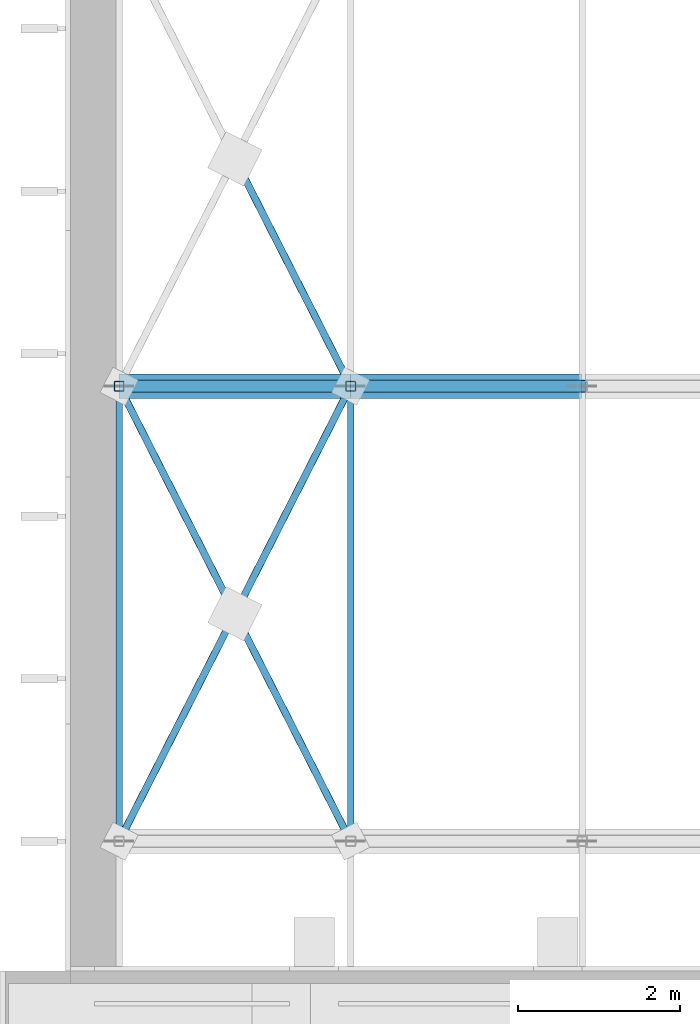
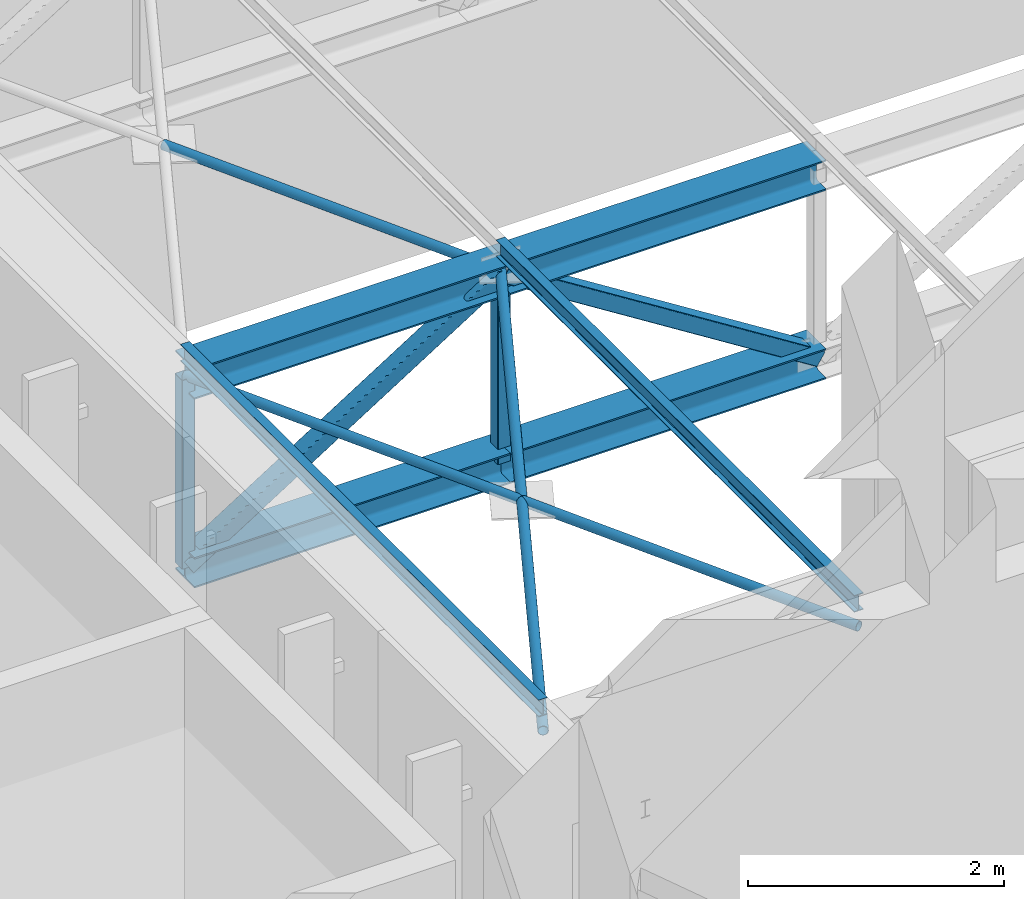
# One storey, part 31 of 55: 14 members.
"""IFC4 building model written with IfcOpenShell, lengths in metres."""

import ifcopenshell
import ifcopenshell.guid

model = None  # the IFC model being written
_history = None  # IfcOwnerHistory: only IFC2X3 demands one
_inside = {}  # id of a spatial element -> (the spatial element, [elements in it])
_under = {}  # id of a project, library or spatial element -> (it, [spatial elements below it])
_declared = {}  # id of a project -> (the project, [libraries it declares])
_typed = {}  # id of a type object -> (the type object, [elements of that type])
_made_of = {}  # id of a material, layer set ... -> (it, [elements and type objects made of it])


def new_model(schema):
    """Start an empty IFC model of exactly this schema.

    Asked for "IFC4X3", IfcOpenShell would pick the latest addendum, in which some entities
    have other attributes; the version numbers below select the first issue.
    IFC2X3 requires an IfcOwnerHistory on every rooted entity: one is made here for all.
    """
    global model, _history
    if schema == "IFC4X3":
        model = ifcopenshell.file(schema_version=(4, 3, 0, 0))
    else:
        model = ifcopenshell.file(schema=schema)
    _inside.clear()
    _under.clear()
    _declared.clear()
    _typed.clear()
    _made_of.clear()
    _history = None
    if model.schema == "IFC2X3":
        org = make("IfcOrganization", Name="unknown")
        user = make(
            "IfcPersonAndOrganization",
            ThePerson=make("IfcPerson", FamilyName="unknown"),
            TheOrganization=org,
        )
        app = make(
            "IfcApplication",
            ApplicationDeveloper=org,
            Version="unknown",
            ApplicationFullName="unknown",
            ApplicationIdentifier="unknown",
        )
        _history = make(
            "IfcOwnerHistory",
            OwningUser=user,
            OwningApplication=app,
            ChangeAction="ADDED",
            CreationDate=0,
        )
    return model


def make(cls, **values):
    """One entity of the class cls with the attributes given. An attribute that is None is left unset."""
    return model.create_entity(
        cls, **{name: value for name, value in values.items() if value is not None}
    )


def rooted(cls, **values):
    """An entity with a GlobalId (a new one), such as an element, a storey or a relation."""
    return make(cls, GlobalId=ifcopenshell.guid.new(), OwnerHistory=_history, **values)


def si_unit(unit_type, name, prefix=None):
    """IfcSIUnit, for example si_unit("LENGTHUNIT", "METRE", prefix="MILLI")."""
    return make("IfcSIUnit", UnitType=unit_type, Prefix=prefix, Name=name)


def assignment(units):
    """IfcUnitAssignment: the units of a project."""
    return None if units is None else make("IfcUnitAssignment", Units=units)


def point(xyz):
    """IfcCartesianPoint."""
    return None if xyz is None else make("IfcCartesianPoint", Coordinates=xyz)


def direction(xyz):
    """IfcDirection."""
    return None if xyz is None else make("IfcDirection", DirectionRatios=xyz)


def frame(location, z_axis=None, x_axis=None):
    """IfcAxis2Placement3D, a coordinate frame: its origin and axes. An axis left out is left unset."""
    return make(
        "IfcAxis2Placement3D",
        Location=point(location),
        Axis=direction(z_axis),
        RefDirection=direction(x_axis),
    )


def frame_2d(location, x_axis=None):
    """IfcAxis2Placement2D, a coordinate frame in the plane: its origin and x axis."""
    return make(
        "IfcAxis2Placement2D", Location=point(location), RefDirection=direction(x_axis)
    )


def origin():
    """The frame at (0, 0, 0) with its axes left unset."""
    return frame((0.0, 0.0, 0.0))


def origin_2d():
    """The frame at (0, 0) in the plane with its x axis left unset."""
    return frame_2d((0.0, 0.0))


def place(relative_to, where):
    """IfcLocalPlacement: puts the frame where relative to a parent placement (None: the world)."""
    return make(
        "IfcLocalPlacement", PlacementRelTo=relative_to, RelativePlacement=where
    )


def context(
    kind, dimensions, precision=None, world=None, true_north=None, identifier=None
):
    """IfcGeometricRepresentationContext, for example the 3D "Model" context."""
    return make(
        "IfcGeometricRepresentationContext",
        ContextIdentifier=identifier,
        ContextType=kind,
        CoordinateSpaceDimension=dimensions,
        Precision=precision,
        WorldCoordinateSystem=world,
        TrueNorth=true_north,
    )


def subcontext(parent, identifier, kind, view, scale=None):
    """IfcGeometricRepresentationSubContext, for example "Body" below "Model"."""
    return make(
        "IfcGeometricRepresentationSubContext",
        ContextIdentifier=identifier,
        ContextType=kind,
        ParentContext=parent,
        TargetScale=scale,
        TargetView=view,
    )


def project(units=None, contexts=None):
    """IfcProject with its units and contexts."""
    return rooted(
        "IfcProject",
        Name="project",
        RepresentationContexts=contexts,
        UnitsInContext=assignment(units),
    )


def spatial(cls, under=None, at=None, **own):
    """A site, building, storey or space (cls), placed at a placement, below another one or the project."""
    s = rooted(cls, ObjectPlacement=at, **own)
    if under is not None:
        _under.setdefault(under.id(), (under, []))[1].append(s)
    return s


def profile(cls, at=None, kind="AREA", **sizes):
    """A parametric profile (cls). Its sizes go by their IFC names, for example OverallWidth=200.0."""
    return make(cls, ProfileType=kind, Position=at, **sizes)


def hollow_rectangle(**sizes):
    """IfcRectangleHollowProfileDef."""
    return profile("IfcRectangleHollowProfileDef", **sizes)


def hollow_circle(**sizes):
    """IfcCircleHollowProfileDef."""
    return profile("IfcCircleHollowProfileDef", **sizes)


def i_section(**sizes):
    """IfcIShapeProfileDef."""
    return profile("IfcIShapeProfileDef", **sizes)


def extrude(swept, where, along, depth):
    """IfcExtrudedAreaSolid: the profile swept, set in the frame where, extruded along a direction by depth."""
    return make(
        "IfcExtrudedAreaSolid",
        SweptArea=swept,
        Position=where,
        ExtrudedDirection=direction(along),
        Depth=depth,
    )


def shape(context_of_items, identifier, shape_type, items):
    """IfcShapeRepresentation: the items that make up one representation, for example the "Body"."""
    return make(
        "IfcShapeRepresentation",
        ContextOfItems=context_of_items,
        RepresentationIdentifier=identifier,
        RepresentationType=shape_type,
        Items=items,
    )


def material(Name=None, Category=None):
    """IfcMaterial."""
    return make("IfcMaterial", Name=Name, Category=Category)


def material_profile(
    of_material, cross_section, Name=None, Category=None, Priority=None
):
    """IfcMaterialProfile: a cross section and its material."""
    return make(
        "IfcMaterialProfile",
        Name=Name,
        Material=of_material,
        Profile=cross_section,
        Priority=Priority,
        Category=Category,
    )


def profile_set(profiles, Name=None, composite=None):
    """IfcMaterialProfileSet."""
    return make(
        "IfcMaterialProfileSet",
        Name=Name,
        MaterialProfiles=profiles,
        CompositeProfile=composite,
    )


def made_of(thing, what):
    """Note that an element or type object is made of a material, layer set ...; save() writes the relation."""
    if what is not None:
        _made_of.setdefault(what.id(), (what, []))[1].append(thing)
    return thing


def type_object(cls, material=None, **own):
    """A type object (cls), such as IfcWallType, which elements share."""
    return made_of(rooted(cls, **own), material)


def element(
    cls,
    number,
    at=None,
    inside=None,
    cuts=None,
    type_object=None,
    material=None,
    context=None,
    identifier="Body",
    shape_type=None,
    held_by="IfcProductDefinitionShape",
    body=None,
    shapes=None,
    **own,
):
    """One element of the class cls, such as IfcWall. Its Tag is "e" and its number.

    at: its placement. inside: the storey or other place that contains it. cuts: it is an
    opening in that element (IfcRelVoidsElement). A single representation is given by context,
    identifier, shape_type and body (its items); several are given by shapes. held_by: the class
    of the entity that holds the representations. save() writes the other relations.
    """
    e = rooted(cls, Tag="e%d" % number, ObjectPlacement=at, **own)
    if body is not None:
        shapes = [shape(context, identifier, shape_type, body)]
    if shapes is not None:
        e.Representation = make(held_by, Representations=shapes)
    if inside is not None:
        _inside.setdefault(inside.id(), (inside, []))[1].append(e)
    if cuts is not None:
        rooted(
            "IfcRelVoidsElement", RelatingBuildingElement=cuts, RelatedOpeningElement=e
        )
    if type_object is not None:
        _typed.setdefault(type_object.id(), (type_object, []))[1].append(e)
    return made_of(e, material)


def aggregate(whole, parts):
    """IfcRelAggregates: a whole, such as a stair, and the parts it consists of."""
    return rooted("IfcRelAggregates", RelatingObject=whole, RelatedObjects=parts)


def save(model, path):
    """Write the relations noted so far, then the file.

    IfcRelAggregates (storeys below a building ...), IfcRelContainedInSpatialStructure (elements
    in a storey), IfcRelDefinesByType, IfcRelAssociatesMaterial and IfcRelDeclares: one each for
    every whole, place, type object, material and project.
    """
    for whole, parts in _under.values():
        aggregate(whole, parts)
    for where, things in _inside.values():
        rooted(
            "IfcRelContainedInSpatialStructure",
            RelatedElements=things,
            RelatingStructure=where,
        )
    for kind, things in _typed.values():
        rooted("IfcRelDefinesByType", RelatedObjects=things, RelatingType=kind)
    for what, things in _made_of.values():
        rooted("IfcRelAssociatesMaterial", RelatedObjects=things, RelatingMaterial=what)
    for by, libraries in _declared.values():
        rooted("IfcRelDeclares", RelatingContext=by, RelatedDefinitions=libraries)
    model.write(path)


model = new_model("IFC4")

# Units and contexts
model_context = context("Model", 3, precision=1e-05, world=origin(), true_north=direction((0.0, 1.0)))
body_context = subcontext(model_context, "Body", "Model", "MODEL_VIEW")
ifc_project = project(units=[si_unit("LENGTHUNIT", "METRE"), si_unit("AREAUNIT", "SQUARE_METRE"), si_unit("VOLUMEUNIT", "CUBIC_METRE"), si_unit("PLANEANGLEUNIT", "RADIAN"), si_unit("MASSUNIT", "GRAM", prefix="KILO")], contexts=[model_context])

# Site, building, storey
site_placement = place(None, origin())
site = spatial("IfcSite", under=ifc_project, at=site_placement, CompositionType="ELEMENT")
building_placement = place(site_placement, origin())
building = spatial("IfcBuilding", under=site, at=building_placement, Name="Lunette Opera House", CompositionType="ELEMENT")
storey_placement = place(building_placement, frame((0.0, 0.0, 34.0)))
storey = spatial("IfcBuildingStorey", under=building, at=storey_placement, Name="L06", CompositionType="ELEMENT", Elevation=34.0)

# Members
ifc_material_1 = material(Name="Steel S355", Category="steel")
ifc_material_profile_1 = material_profile(ifc_material_1, hollow_circle(Radius=0.04443359375, WallThickness=0.00390625, at=origin_2d()), Name="CHS 88.9X4")
ifc_profile_set_1 = profile_set([ifc_material_profile_1], Name="Steel S355")
member_type_1 = type_object("IfcMemberType", Name="BRACING CHS 88.9X4", PredefinedType="BRACE", material=ifc_profile_set_1)
member_1_placement = place(storey_placement, frame((84.60009765625, 122.39990234375, 5.574951171875), z_axis=(0.453543338002, 0.891234223173, 0.0), x_axis=(-0.891234223173, 0.453543338002, 0.0)))
element("IfcMember", 1, at=member_1_placement, inside=storey, type_object=member_type_1, Name="mem-ST-L06-SR-TR-BRQ1P1A", PredefinedType="BRACE", context=body_context, shape_type="SweptSolid", body=[
    extrude(hollow_circle(Radius=0.04443359375, WallThickness=0.00390625, at=origin_2d()), origin(), (0.0, 0.0, 1.0), 6.283447265625),
])
member_2_placement = place(storey_placement, frame((87.449951171875, 122.39990234375, 5.574951171875), z_axis=(-0.453574198899, 0.891218517589, 0.0), x_axis=(-0.891218517589, -0.453574198899, 0.0)))
element("IfcMember", 2, at=member_2_placement, inside=storey, type_object=member_type_1, Name="mem-ST-L06-SR-TR-BRQ1P1B segment 1", PredefinedType="BRACE", context=body_context, shape_type="SweptSolid", body=[
    extrude(hollow_circle(Radius=0.04443359375, WallThickness=0.00390625, at=origin_2d()), origin(), (0.0, 0.0, 1.0), 3.141845703125),
])
member_3_placement = place(storey_placement, frame((86.02490234375, 125.199951171875, 5.574951171875), z_axis=(-0.453512475474, 0.891249928241, 0.0), x_axis=(-0.891249928241, -0.453512475474, 0.0)))
element("IfcMember", 3, at=member_3_placement, inside=storey, type_object=member_type_1, Name="mem-ST-L06-SR-TR-BRQ1P1B segment 2", PredefinedType="BRACE", context=body_context, shape_type="SweptSolid", body=[
    extrude(hollow_circle(Radius=0.04443359375, WallThickness=0.00390625, at=origin_2d()), origin(), (0.0, 0.0, 1.0), 3.1416015625),
])
member_4_placement = place(storey_placement, frame((87.449951171875, 128.0, 5.574951171875), z_axis=(-0.453574198899, 0.891218517589, 0.0), x_axis=(-0.891218517589, -0.453574198899, 0.0)))
element("IfcMember", 4, at=member_4_placement, inside=storey, type_object=member_type_1, Name="mem-ST-L06-SR-TR-BRQ2P1B segment 1", PredefinedType="BRACE", context=body_context, shape_type="SweptSolid", body=[
    extrude(hollow_circle(Radius=0.04443359375, WallThickness=0.00390625, at=origin_2d()), origin(), (0.0, 0.0, 1.0), 3.141845703125),
])
ifc_material_2 = material(Name="Steel S355", Category="steel")
ifc_material_profile_2 = material_profile(ifc_material_2, i_section(OverallWidth=0.300048828125, OverallDepth=0.2900390625, WebThickness=0.008544921875, FlangeThickness=0.013916015625, FilletRadius=0.027099609375, at=origin_2d()), Name="HEA 300")
ifc_profile_set_2 = profile_set([ifc_material_profile_2], Name="Steel S355")
member_type_2 = type_object("IfcMemberType", Name="CHORD HEA 300", PredefinedType="CHORD", material=ifc_profile_set_2)
for number, where, z_axis, x_axis, name in (
    (5, (84.60009765625, 128.0, 5.574951171875), (1.0, 0.0, 0.0), (0.0, 1.0, 0.0), "mem-ST-L06-SR-TR02-TC1"),
    (6, (84.60009765625, 128.0, 3.77490234375), (1.0, 0.0, 0.0), (0.0, 1.0, 0.0), "mem-ST-L06-SR-TR02-BC1"),
):
    element("IfcMember", number, at=place(storey_placement, frame(where, z_axis=z_axis, x_axis=x_axis)), inside=storey, type_object=member_type_2, Name=name, PredefinedType="CHORD", context=body_context, shape_type="SweptSolid", body=[
        extrude(i_section(OverallWidth=0.300048828125, OverallDepth=0.2900390625, WebThickness=0.008544921875, FlangeThickness=0.013916015625, FilletRadius=0.027099609375, at=origin_2d()), origin(), (0.0, 0.0, 1.0), 2.849853515625),
    ])
for number, where, z_axis, x_axis, name in (
    (7, (87.449951171875, 128.0, 5.574951171875), (1.0, 0.0, 0.0), (0.0, 1.0, 0.0), "mem-ST-L06-SR-TR02-TC2"),
    (8, (87.449951171875, 128.0, 3.77490234375), (1.0, 0.0, 0.0), (0.0, 1.0, 0.0), "mem-ST-L06-SR-TR02-BC2"),
):
    element("IfcMember", number, at=place(storey_placement, frame(where, z_axis=z_axis, x_axis=x_axis)), inside=storey, type_object=member_type_2, Name=name, PredefinedType="CHORD", context=body_context, shape_type="SweptSolid", body=[
        extrude(i_section(OverallWidth=0.300048828125, OverallDepth=0.2900390625, WebThickness=0.008544921875, FlangeThickness=0.013916015625, FilletRadius=0.027099609375, at=origin_2d()), origin(), (0.0, 0.0, 1.0), 2.85009765625),
    ])
ifc_material_3 = material(Name="Steel S355", Category="steel")
ifc_material_profile_3 = material_profile(ifc_material_3, hollow_rectangle(XDim=0.14990234375, YDim=0.14990234375, WallThickness=0.006103515625, InnerFilletRadius=0.006103515625, OuterFilletRadius=0.011962890625, at=origin_2d()), Name="RHS 150X150X6")
ifc_profile_set_3 = profile_set([ifc_material_profile_3], Name="Steel S355")
member_type_3 = type_object("IfcMemberType", Name="DIAGONAL RHS 150X150X6", PredefinedType="BRACE", material=ifc_profile_set_3)
for number, where, z_axis, x_axis, name in (
    (9, (84.60009765625, 128.0, 3.77490234375), (0.845469970423, 0.0, 0.53402296684), (0.0, 1.0, 0.0), "mem-ST-L06-SR-TR02-TD1"),
    (10, (87.449951171875, 128.0, 5.574951171875), (0.845490624019, 0.0, -0.53399026648), (0.0, 1.0, 0.0), "mem-ST-L06-SR-TR02-TD2"),
):
    element("IfcMember", number, at=place(storey_placement, frame(where, z_axis=z_axis, x_axis=x_axis)), inside=storey, type_object=member_type_3, Name=name, PredefinedType="BRACE", context=body_context, shape_type="SweptSolid", body=[
        extrude(hollow_rectangle(XDim=0.14990234375, YDim=0.14990234375, WallThickness=0.006103515625, InnerFilletRadius=0.006103515625, OuterFilletRadius=0.011962890625, at=origin_2d()), origin(), (0.0, 0.0, 1.0), 3.370849609375),
    ])
ifc_material_4 = material(Name="Steel S355", Category="steel")
ifc_material_profile_4 = material_profile(ifc_material_4, i_section(OverallWidth=0.08203125, OverallDepth=0.159912109375, WebThickness=0.0048828125, FlangeThickness=0.00732421875, FilletRadius=0.009033203125, at=origin_2d()), Name="IPE 160")
ifc_profile_set_4 = profile_set([ifc_material_profile_4], Name="Steel S355")
member_type_4 = type_object("IfcMemberType", Name="PURLIN IPE 160", PredefinedType="PURLIN", material=ifc_profile_set_4)
for number, where, z_axis, x_axis, name in (
    (11, (84.60009765625, 122.39990234375, 5.800048828125), (0.0, 1.0, 0.0), (-1.0, 0.0, 0.0), "mem-ST-L06-SR-TR-PU1-2"),
    (12, (87.449951171875, 122.39990234375, 5.800048828125), (0.0, 1.0, 0.0), (-1.0, 0.0, 0.0), "mem-ST-L06-SR-TR-PU2-2"),
):
    element("IfcMember", number, at=place(storey_placement, frame(where, z_axis=z_axis, x_axis=x_axis)), inside=storey, type_object=member_type_4, Name=name, PredefinedType="PURLIN", context=body_context, shape_type="SweptSolid", body=[
        extrude(i_section(OverallWidth=0.08203125, OverallDepth=0.159912109375, WebThickness=0.0048828125, FlangeThickness=0.00732421875, FilletRadius=0.009033203125, at=origin_2d()), origin(), (0.0, 0.0, 1.0), 5.60009765625),
    ])
ifc_material_5 = material(Name="Steel S355", Category="steel")
ifc_material_profile_5 = material_profile(ifc_material_5, hollow_rectangle(XDim=0.1201171875, YDim=0.1201171875, WallThickness=0.0048828125, InnerFilletRadius=0.0048828125, OuterFilletRadius=0.010009765625, at=origin_2d()), Name="RHS 120X120X5")
ifc_profile_set_5 = profile_set([ifc_material_profile_5], Name="Steel S355")
member_type_5 = type_object("IfcMemberType", Name="VERTICAL RHS 120X120X5", PredefinedType="POST", material=ifc_profile_set_5)
for number, where, z_axis, x_axis, name in (
    (13, (84.60009765625, 128.0, 3.77490234375), (0.0, 0.0, 1.0), (1.0, 0.0, 0.0), "mem-ST-L06-SR-TR02-TV1"),
    (14, (87.449951171875, 128.0, 3.77490234375), (0.0, 0.0, 1.0), (1.0, 0.0, 0.0), "mem-ST-L06-SR-TR02-TV2"),
):
    element("IfcMember", number, at=place(storey_placement, frame(where, z_axis=z_axis, x_axis=x_axis)), inside=storey, type_object=member_type_5, Name=name, PredefinedType="POST", context=body_context, shape_type="SweptSolid", body=[
        extrude(hollow_rectangle(XDim=0.1201171875, YDim=0.1201171875, WallThickness=0.0048828125, InnerFilletRadius=0.0048828125, OuterFilletRadius=0.010009765625, at=origin_2d()), origin(), (0.0, 0.0, 1.0), 1.800048828125),
    ])

save(model, "model.ifc")
